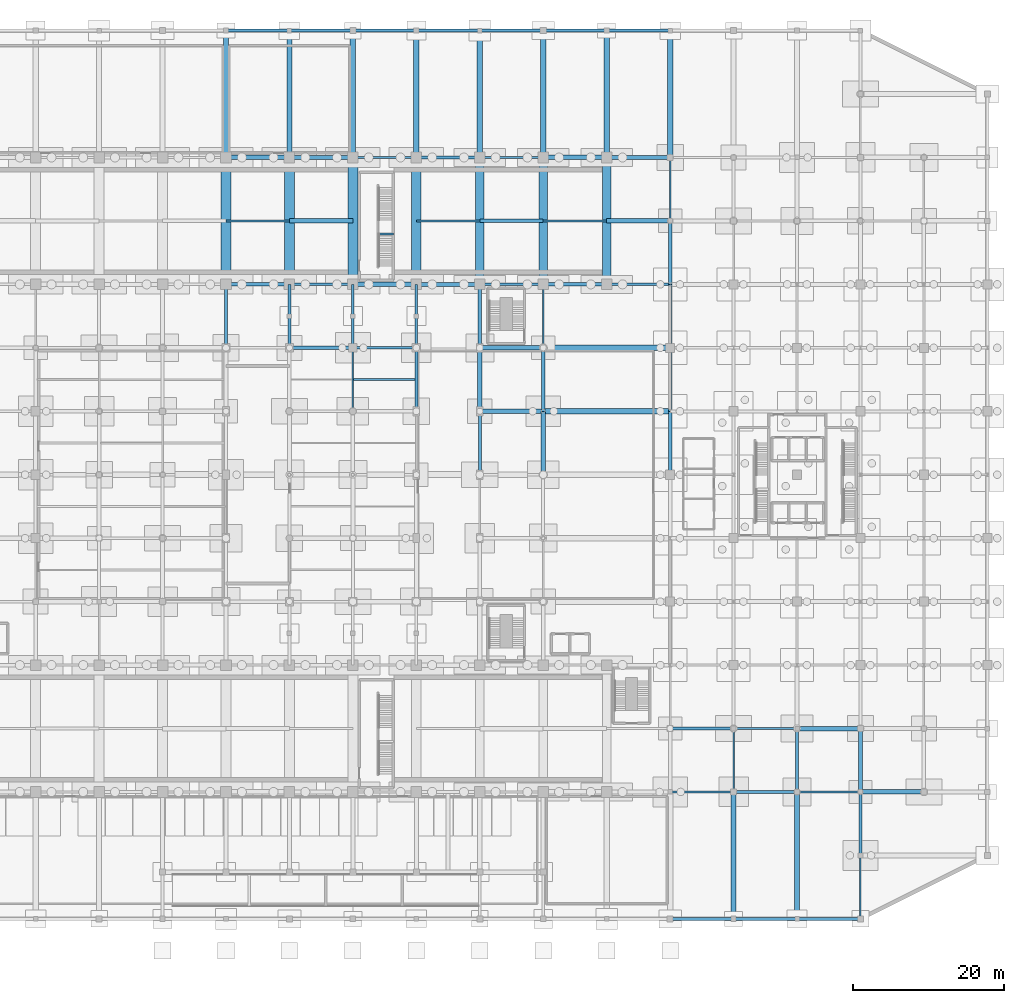
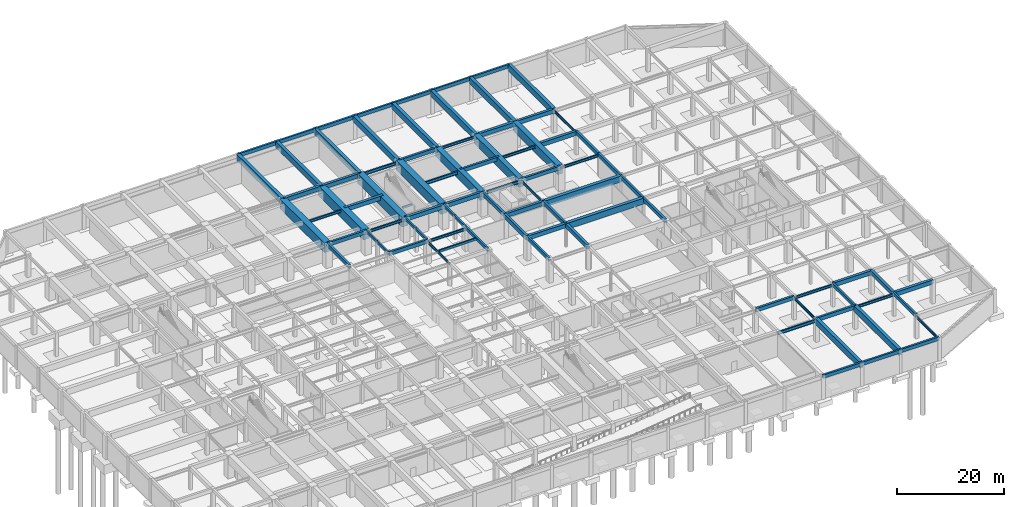
# One storey, part 14 of 26: 87 beams.
"""IFC4 building model written with IfcOpenShell, lengths in metres."""

from ifc_helpers import new_model, si_unit, direction, frame, origin, origin_2d, place, context, subcontext, project, spatial, rectangle, i_section, extrude, material, material_profile, profile_set, type_object, element, save


model = new_model("IFC4")

# Units and contexts
model_context = context("Model", 3, precision=1e-05, world=origin(), true_north=direction((0.0, 1.0)))
body_context = subcontext(model_context, "Body", "Model", "MODEL_VIEW")
ifc_project = project(units=[si_unit("LENGTHUNIT", "METRE"), si_unit("AREAUNIT", "SQUARE_METRE"), si_unit("VOLUMEUNIT", "CUBIC_METRE"), si_unit("PLANEANGLEUNIT", "RADIAN"), si_unit("MASSUNIT", "GRAM", prefix="KILO")], contexts=[model_context])

# Site, building, storey
site_placement = place(None, origin())
site = spatial("IfcSite", under=ifc_project, at=site_placement, CompositionType="ELEMENT")
building_placement = place(site_placement, origin())
building = spatial("IfcBuilding", under=site, at=building_placement, Name="Xuanlan Plaza Opera House", CompositionType="ELEMENT")
storey_placement = place(building_placement, frame((0.0, 0.0, -5.39990234375)))
storey = spatial("IfcBuildingStorey", under=building, at=storey_placement, Name="B01", CompositionType="ELEMENT", Elevation=-5.39990234375)

# Beams
ifc_material_1 = material(Name="Concrete C50", Category="concrete")
ifc_material_profile_1 = material_profile(ifc_material_1, rectangle(XDim=0.60009765625, YDim=0.949951171875, at=origin_2d()), Name="RC-BM 600x950")
ifc_profile_set_1 = profile_set([ifc_material_profile_1], Name="Concrete C50")
beam_type_1 = type_object("IfcBeamType", Name="STR-BM-B-01", PredefinedType="BEAM", material=ifc_profile_set_1)
beam_1_placement = place(storey_placement, frame((151.199951171875, 16.800048828125, 4.9248046875), z_axis=(1.0, 0.0, 0.0), x_axis=(0.0, 1.0, 0.0)))
element("IfcBeam", 1, at=beam_1_placement, inside=storey, type_object=beam_type_1, Name="Grid Beam X B01 19-20/C", PredefinedType="BEAM", context=body_context, shape_type="SweptSolid", body=[
    extrude(rectangle(XDim=0.60009765625, YDim=0.949951171875, at=origin_2d()), origin(), (0.0, 0.0, 1.0), 8.400146484375),
])
for number, where, z_axis, x_axis, name in (
    (2, (142.800048828125, 25.199951171875, 4.9248046875), (1.0, 0.0, 0.0), (0.0, 1.0, 0.0), "Grid Beam X B01 18-19/D"),
    (3, (100.800048828125, 67.199951171875, 4.9248046875), (1.0, 0.0, 0.0), (0.0, 1.0, 0.0), "Grid Beam X B01 13-14/I"),
    (4, (84.0, 84.0, 4.9248046875), (1.0, 0.0, 0.0), (0.0, 1.0, 0.0), "Grid Beam X B01 11-12/K"),
    (5, (75.60009765625, 92.39990234375, 4.9248046875), (1.0, 0.0, 0.0), (0.0, 1.0, 0.0), "Grid Beam X B01 10-11/L"),
    (6, (117.60009765625, 92.39990234375, 4.9248046875), (1.0, 0.0, 0.0), (0.0, 1.0, 0.0), "Grid Beam X B01 15-16/L"),
):
    element("IfcBeam", number, at=place(storey_placement, frame(where, z_axis=z_axis, x_axis=x_axis)), inside=storey, type_object=beam_type_1, Name=name, PredefinedType="BEAM", context=body_context, shape_type="SweptSolid", body=[
        extrude(rectangle(XDim=0.60009765625, YDim=0.949951171875, at=origin_2d()), origin(), (0.0, 0.0, 1.0), 8.39990234375),
    ])
for number, where, z_axis, x_axis, name in (
    (7, (67.199951171875, 100.800048828125, 4.9248046875), (1.0, 0.0, 0.0), (0.0, 1.0, 0.0), "Grid Beam X B01 9-10/M"),
    (8, (109.199951171875, 100.800048828125, 4.9248046875), (1.0, 0.0, 0.0), (0.0, 1.0, 0.0), "Grid Beam X B01 14-15/M"),
):
    element("IfcBeam", number, at=place(storey_placement, frame(where, z_axis=z_axis, x_axis=x_axis)), inside=storey, type_object=beam_type_1, Name=name, PredefinedType="BEAM", context=body_context, shape_type="SweptSolid", body=[
        extrude(rectangle(XDim=0.60009765625, YDim=0.949951171875, at=origin_2d()), origin(), (0.0, 0.0, 1.0), 8.400146484375),
    ])
ifc_material_profile_2 = material_profile(ifc_material_1, rectangle(XDim=0.550048828125, YDim=0.949951171875, at=origin_2d()), Name="RC-BM 550x950")
ifc_profile_set_2 = profile_set([ifc_material_profile_2], Name="Concrete C50")
beam_type_2 = type_object("IfcBeamType", Name="STR-BM-B-02", PredefinedType="BEAM", material=ifc_profile_set_2)
beam_2_placement = place(storey_placement, frame((100.800048828125, 75.60009765625, 4.9248046875), z_axis=(1.0, 0.0, 0.0), x_axis=(0.0, 1.0, 0.0)))
element("IfcBeam", 9, at=beam_2_placement, inside=storey, type_object=beam_type_2, Name="Grid Beam X B01 13-14/J", PredefinedType="BEAM", context=body_context, shape_type="SweptSolid", body=[
    extrude(rectangle(XDim=0.550048828125, YDim=0.949951171875, at=origin_2d()), origin(), (0.0, 0.0, 1.0), 8.39990234375),
])
beam_3_placement = place(storey_placement, frame((92.39990234375, 84.0, 4.9248046875), z_axis=(1.0, 0.0, 0.0), x_axis=(0.0, 1.0, 0.0)))
element("IfcBeam", 10, at=beam_3_placement, inside=storey, type_object=beam_type_2, Name="Grid Beam X B01 12-13/K", PredefinedType="BEAM", context=body_context, shape_type="SweptSolid", body=[
    extrude(rectangle(XDim=0.550048828125, YDim=0.949951171875, at=origin_2d()), origin(), (0.0, 0.0, 1.0), 8.400146484375),
])
for number, where, z_axis, x_axis, name in (
    (11, (75.60009765625, 100.800048828125, 4.9248046875), (1.0, 0.0, 0.0), (0.0, 1.0, 0.0), "Grid Beam X B01 10-11/M"),
    (12, (117.60009765625, 100.800048828125, 4.9248046875), (1.0, 0.0, 0.0), (0.0, 1.0, 0.0), "Grid Beam X B01 15-16/M"),
):
    element("IfcBeam", number, at=place(storey_placement, frame(where, z_axis=z_axis, x_axis=x_axis)), inside=storey, type_object=beam_type_2, Name=name, PredefinedType="BEAM", context=body_context, shape_type="SweptSolid", body=[
        extrude(rectangle(XDim=0.550048828125, YDim=0.949951171875, at=origin_2d()), origin(), (0.0, 0.0, 1.0), 8.39990234375),
    ])
beam_4_placement = place(storey_placement, frame((100.800048828125, 67.199951171875, 4.9248046875), z_axis=(0.0, 1.0, 0.0), x_axis=(-1.0, 0.0, 0.0)))
element("IfcBeam", 13, at=beam_4_placement, inside=storey, type_object=beam_type_2, Name="Grid Beam Y B01 13/I-J", PredefinedType="BEAM", context=body_context, shape_type="SweptSolid", body=[
    extrude(rectangle(XDim=0.550048828125, YDim=0.949951171875, at=origin_2d()), origin(), (0.0, 0.0, 1.0), 8.400146484375),
])
for number, where, z_axis, x_axis, name in (
    (14, (109.199951171875, 58.800048828125, 4.9248046875), (0.0, 1.0, 0.0), (-1.0, 0.0, 0.0), "Grid Beam Y B01 14/H-I"),
    (15, (151.199951171875, 16.800048828125, 4.9248046875), (0.0, 1.0, 0.0), (-1.0, 0.0, 0.0), "Grid Beam Y B01 19/C-D"),
):
    element("IfcBeam", number, at=place(storey_placement, frame(where, z_axis=z_axis, x_axis=x_axis)), inside=storey, type_object=beam_type_2, Name=name, PredefinedType="BEAM", context=body_context, shape_type="SweptSolid", body=[
        extrude(rectangle(XDim=0.550048828125, YDim=0.949951171875, at=origin_2d()), origin(), (0.0, 0.0, 1.0), 8.39990234375),
    ])
ifc_material_2 = material(Name="Concrete C40", Category="concrete")
ifc_material_profile_3 = material_profile(ifc_material_2, rectangle(XDim=0.449951171875, YDim=0.85009765625, at=origin_2d()), Name="RC-BM 450x850")
ifc_profile_set_3 = profile_set([ifc_material_profile_3], Name="Concrete C40")
beam_type_3 = type_object("IfcBeamType", Name="STR-BM-B-04", PredefinedType="BEAM", material=ifc_profile_set_3)
beam_5_placement = place(storey_placement, frame((134.39990234375, 16.800048828125, 4.974853515625), z_axis=(1.0, 0.0, 0.0), x_axis=(0.0, 1.0, 0.0)))
element("IfcBeam", 16, at=beam_5_placement, inside=storey, type_object=beam_type_3, Name="Grid Beam X B01 17-18/C", PredefinedType="BEAM", context=body_context, shape_type="SweptSolid", body=[
    extrude(rectangle(XDim=0.449951171875, YDim=0.85009765625, at=origin_2d()), origin(), (0.0, 0.0, 1.0), 8.400146484375),
])
for number, where, z_axis, x_axis, name in (
    (17, (126.0, 25.199951171875, 4.974853515625), (1.0, 0.0, 0.0), (0.0, 1.0, 0.0), "Grid Beam X B01 16-17/D"),
    (18, (75.60009765625, 75.60009765625, 4.974853515625), (1.0, 0.0, 0.0), (0.0, 1.0, 0.0), "Grid Beam X B01 10-11/J"),
):
    element("IfcBeam", number, at=place(storey_placement, frame(where, z_axis=z_axis, x_axis=x_axis)), inside=storey, type_object=beam_type_3, Name=name, PredefinedType="BEAM", context=body_context, shape_type="SweptSolid", body=[
        extrude(rectangle(XDim=0.449951171875, YDim=0.85009765625, at=origin_2d()), origin(), (0.0, 0.0, 1.0), 8.39990234375),
    ])
for number, where, z_axis, x_axis, name in (
    (19, (67.199951171875, 84.0, 4.974853515625), (1.0, 0.0, 0.0), (0.0, 1.0, 0.0), "Grid Beam X B01 9-10/K"),
    (20, (109.199951171875, 84.0, 4.974853515625), (1.0, 0.0, 0.0), (0.0, 1.0, 0.0), "Grid Beam X B01 14-15/K"),
):
    element("IfcBeam", number, at=place(storey_placement, frame(where, z_axis=z_axis, x_axis=x_axis)), inside=storey, type_object=beam_type_3, Name=name, PredefinedType="BEAM", context=body_context, shape_type="SweptSolid", body=[
        extrude(rectangle(XDim=0.449951171875, YDim=0.85009765625, at=origin_2d()), origin(), (0.0, 0.0, 1.0), 8.400146484375),
    ])
beam_6_placement = place(storey_placement, frame((100.800048828125, 92.39990234375, 4.974853515625), z_axis=(1.0, 0.0, 0.0), x_axis=(0.0, 1.0, 0.0)))
element("IfcBeam", 21, at=beam_6_placement, inside=storey, type_object=beam_type_3, Name="Grid Beam X B01 13-14/L", PredefinedType="BEAM", context=body_context, shape_type="SweptSolid", body=[
    extrude(rectangle(XDim=0.449951171875, YDim=0.85009765625, at=origin_2d()), origin(), (0.0, 0.0, 1.0), 8.39990234375),
])
beam_7_placement = place(storey_placement, frame((92.39990234375, 100.800048828125, 4.974853515625), z_axis=(1.0, 0.0, 0.0), x_axis=(0.0, 1.0, 0.0)))
element("IfcBeam", 22, at=beam_7_placement, inside=storey, type_object=beam_type_3, Name="Grid Beam X B01 12-13/M", PredefinedType="BEAM", context=body_context, shape_type="SweptSolid", body=[
    extrude(rectangle(XDim=0.449951171875, YDim=0.85009765625, at=origin_2d()), origin(), (0.0, 0.0, 1.0), 8.400146484375),
])
for number, where, z_axis, x_axis, name in (
    (23, (67.199951171875, 75.60009765625, 4.974853515625), (0.0, 1.0, 0.0), (-1.0, 0.0, 0.0), "Grid Beam Y B01 9/J-K"),
    (24, (100.800048828125, 75.60009765625, 4.974853515625), (0.0, 1.0, 0.0), (-1.0, 0.0, 0.0), "Grid Beam Y B01 13/J-K"),
):
    element("IfcBeam", number, at=place(storey_placement, frame(where, z_axis=z_axis, x_axis=x_axis)), inside=storey, type_object=beam_type_3, Name=name, PredefinedType="BEAM", context=body_context, shape_type="SweptSolid", body=[
        extrude(rectangle(XDim=0.449951171875, YDim=0.85009765625, at=origin_2d()), origin(), (0.0, 0.0, 1.0), 8.39990234375),
    ])
beam_8_placement = place(storey_placement, frame((109.199951171875, 67.199951171875, 4.974853515625), z_axis=(0.0, 1.0, 0.0), x_axis=(-1.0, 0.0, 0.0)))
element("IfcBeam", 25, at=beam_8_placement, inside=storey, type_object=beam_type_3, Name="Grid Beam Y B01 14/I-J", PredefinedType="BEAM", context=body_context, shape_type="SweptSolid", body=[
    extrude(rectangle(XDim=0.449951171875, YDim=0.85009765625, at=origin_2d()), origin(), (0.0, 0.0, 1.0), 8.400146484375),
])
beam_9_placement = place(storey_placement, frame((126.0, 58.800048828125, 4.974853515625), z_axis=(0.0, 1.0, 0.0), x_axis=(-1.0, 0.0, 0.0)))
element("IfcBeam", 26, at=beam_9_placement, inside=storey, type_object=beam_type_3, Name="Grid Beam Y B01 16/H-I", PredefinedType="BEAM", context=body_context, shape_type="SweptSolid", body=[
    extrude(rectangle(XDim=0.449951171875, YDim=0.85009765625, at=origin_2d()), origin(), (0.0, 0.0, 1.0), 8.39990234375),
])
beam_10_placement = place(storey_placement, frame((126.0, 67.199951171875, 4.974853515625), z_axis=(0.0, 1.0, 0.0), x_axis=(-1.0, 0.0, 0.0)))
element("IfcBeam", 27, at=beam_10_placement, inside=storey, type_object=beam_type_3, Name="Grid Beam Y B01 16/I-J", PredefinedType="BEAM", context=body_context, shape_type="SweptSolid", body=[
    extrude(rectangle(XDim=0.449951171875, YDim=0.85009765625, at=origin_2d()), origin(), (0.0, 0.0, 1.0), 8.400146484375),
])
for number, where, z_axis, x_axis, name in (
    (28, (126.0, 75.60009765625, 4.974853515625), (0.0, 1.0, 0.0), (-1.0, 0.0, 0.0), "Grid Beam Y B01 16/J-K"),
    (29, (126.0, 84.0, 4.974853515625), (0.0, 1.0, 0.0), (-1.0, 0.0, 0.0), "Grid Beam Y B01 16/K-L"),
):
    element("IfcBeam", number, at=place(storey_placement, frame(where, z_axis=z_axis, x_axis=x_axis)), inside=storey, type_object=beam_type_3, Name=name, PredefinedType="BEAM", context=body_context, shape_type="SweptSolid", body=[
        extrude(rectangle(XDim=0.449951171875, YDim=0.85009765625, at=origin_2d()), origin(), (0.0, 0.0, 1.0), 8.39990234375),
    ])
ifc_material_profile_4 = material_profile(ifc_material_2, rectangle(XDim=0.39990234375, YDim=0.75, at=origin_2d()), Name="RC-BM 400x750")
ifc_profile_set_4 = profile_set([ifc_material_profile_4], Name="Concrete C40")
beam_type_4 = type_object("IfcBeamType", Name="STR-BM-B-06", PredefinedType="BEAM", material=ifc_profile_set_4)
beam_11_placement = place(storey_placement, frame((92.39990234375, 67.199951171875, 5.02490234375), z_axis=(0.0, 1.0, 0.0), x_axis=(-1.0, 0.0, 0.0)))
element("IfcBeam", 30, at=beam_11_placement, inside=storey, type_object=beam_type_4, Name="Grid Beam Y B01 12/I-J", PredefinedType="BEAM", context=body_context, shape_type="SweptSolid", body=[
    extrude(rectangle(XDim=0.39990234375, YDim=0.75, at=origin_2d()), origin(), (0.0, 0.0, 1.0), 8.400146484375),
])
for number, where, z_axis, x_axis, name in (
    (31, (100.800048828125, 58.800048828125, 5.02490234375), (0.0, 1.0, 0.0), (-1.0, 0.0, 0.0), "Grid Beam Y B01 13/H-I"),
    (32, (142.800048828125, 16.800048828125, 5.02490234375), (0.0, 1.0, 0.0), (-1.0, 0.0, 0.0), "Grid Beam Y B01 18/C-D"),
):
    element("IfcBeam", number, at=place(storey_placement, frame(where, z_axis=z_axis, x_axis=x_axis)), inside=storey, type_object=beam_type_4, Name=name, PredefinedType="BEAM", context=body_context, shape_type="SweptSolid", body=[
        extrude(rectangle(XDim=0.39990234375, YDim=0.75, at=origin_2d()), origin(), (0.0, 0.0, 1.0), 8.39990234375),
    ])
beam_12_placement = place(storey_placement, frame((151.199951171875, 8.39990234375, 5.02490234375), z_axis=(0.0, 1.0, 0.0), x_axis=(-1.0, 0.0, 0.0)))
element("IfcBeam", 33, at=beam_12_placement, inside=storey, type_object=beam_type_4, Name="Grid Beam Y B01 19/B-C", PredefinedType="BEAM", context=body_context, shape_type="SweptSolid", body=[
    extrude(rectangle(XDim=0.39990234375, YDim=0.75, at=origin_2d()), origin(), (0.0, 0.0, 1.0), 8.400146484375),
])
ifc_material_profile_5 = material_profile(ifc_material_2, rectangle(XDim=0.35009765625, YDim=0.60009765625, at=origin_2d()), Name="RC-BM 350x600")
ifc_profile_set_5 = profile_set([ifc_material_profile_5], Name="Concrete C40")
beam_type_5 = type_object("IfcBeamType", Name="STR-BM-B-10", PredefinedType="BEAM", material=ifc_profile_set_5)
for number, where, z_axis, x_axis, name in (
    (34, (75.60009765625, 75.60009765625, 5.099853515625), (0.0, 1.0, 0.0), (-1.0, 0.0, 0.0), "Sub-Bay Beam Y B01 10/JA"),
    (35, (75.60009765625, 79.800048828125, 5.099853515625), (0.0, 1.0, 0.0), (-1.0, 0.0, 0.0), "Sub-Bay Beam Y B01 10/JB"),
    (36, (84.0, 75.60009765625, 5.099853515625), (0.0, 1.0, 0.0), (-1.0, 0.0, 0.0), "Sub-Bay Beam Y B01 11/JA"),
    (37, (84.0, 79.800048828125, 5.099853515625), (0.0, 1.0, 0.0), (-1.0, 0.0, 0.0), "Sub-Bay Beam Y B01 11/JB"),
    (38, (92.39990234375, 75.60009765625, 5.099853515625), (0.0, 1.0, 0.0), (-1.0, 0.0, 0.0), "Sub-Bay Beam Y B01 12/JA"),
    (39, (92.39990234375, 79.800048828125, 5.099853515625), (0.0, 1.0, 0.0), (-1.0, 0.0, 0.0), "Sub-Bay Beam Y B01 12/JB"),
):
    element("IfcBeam", number, at=place(storey_placement, frame(where, z_axis=z_axis, x_axis=x_axis)), inside=storey, type_object=beam_type_5, Name=name, PredefinedType="BEAM", context=body_context, shape_type="SweptSolid", body=[
        extrude(rectangle(XDim=0.35009765625, YDim=0.60009765625, at=origin_2d()), origin(), (0.0, 0.0, 1.0), 4.199951171875),
    ])
ifc_material_profile_6 = material_profile(ifc_material_2, rectangle(XDim=0.300048828125, YDim=0.52001953125, at=origin_2d()), Name="RC-JST 300x520")
ifc_profile_set_6 = profile_set([ifc_material_profile_6], Name="Concrete C40")
beam_type_6 = type_object("IfcBeamType", Name="STR-BM-J-05", PredefinedType="JOIST", material=ifc_profile_set_6)
beam_13_placement = place(storey_placement, frame((84.10009765625, 71.39990234375, 5.139892578125), z_axis=(1.0, 0.0, 0.0), x_axis=(0.0, 1.0, 0.0)))
element("IfcBeam", 40, at=beam_13_placement, inside=storey, type_object=beam_type_6, Name="Heavy Floor Joist B01 11-12/Im", PredefinedType="JOIST", context=body_context, shape_type="SweptSolid", body=[
    extrude(rectangle(XDim=0.300048828125, YDim=0.52001953125, at=origin_2d()), origin(), (0.0, 0.0, 1.0), 8.099853515625),
])
ifc_material_profile_7 = material_profile(ifc_material_1, rectangle(XDim=0.699951171875, YDim=1.39990234375, at=origin_2d()), Name="RC-LG 700x1400")
ifc_profile_set_7 = profile_set([ifc_material_profile_7], Name="Concrete C50")
beam_type_7 = type_object("IfcBeamType", Name="STR-BM-LG-01", PredefinedType="BEAM", material=ifc_profile_set_7)
for number, where, z_axis, x_axis, name in (
    (41, (109.199951171875, 67.199951171875, 4.699951171875), (1.0, 0.0, 0.0), (0.0, 1.0, 0.0), "Grid Beam X B01 14-16/I"),
    (42, (109.199951171875, 75.60009765625, 4.699951171875), (1.0, 0.0, 0.0), (0.0, 1.0, 0.0), "Grid Beam X B01 14-16/J"),
    (43, (67.199951171875, 100.800048828125, 4.699951171875), (0.0, 1.0, 0.0), (-1.0, 0.0, 0.0), "Grid Beam Y B01 9/M-O"),
    (44, (75.60009765625, 100.800048828125, 4.699951171875), (0.0, 1.0, 0.0), (-1.0, 0.0, 0.0), "Grid Beam Y B01 10/M-O"),
    (45, (84.0, 100.800048828125, 4.699951171875), (0.0, 1.0, 0.0), (-1.0, 0.0, 0.0), "Grid Beam Y B01 11/M-O"),
    (46, (92.39990234375, 100.800048828125, 4.699951171875), (0.0, 1.0, 0.0), (-1.0, 0.0, 0.0), "Grid Beam Y B01 12/M-O"),
    (47, (100.800048828125, 100.800048828125, 4.699951171875), (0.0, 1.0, 0.0), (-1.0, 0.0, 0.0), "Grid Beam Y B01 13/M-O"),
    (48, (109.199951171875, 100.800048828125, 4.699951171875), (0.0, 1.0, 0.0), (-1.0, 0.0, 0.0), "Grid Beam Y B01 14/M-O"),
    (49, (117.60009765625, 100.800048828125, 4.699951171875), (0.0, 1.0, 0.0), (-1.0, 0.0, 0.0), "Grid Beam Y B01 15/M-O"),
    (50, (126.0, 100.800048828125, 4.699951171875), (0.0, 1.0, 0.0), (-1.0, 0.0, 0.0), "Grid Beam Y B01 16/M-O"),
    (51, (134.39990234375, 0.0, 4.699951171875), (0.0, 1.0, 0.0), (-1.0, 0.0, 0.0), "Grid Beam Y B01 17/A-C"),
    (52, (142.800048828125, 0.0, 4.699951171875), (0.0, 1.0, 0.0), (-1.0, 0.0, 0.0), "Grid Beam Y B01 18/A-C"),
):
    element("IfcBeam", number, at=place(storey_placement, frame(where, z_axis=z_axis, x_axis=x_axis)), inside=storey, type_object=beam_type_7, Name=name, PredefinedType="BEAM", context=body_context, shape_type="SweptSolid", body=[
        extrude(rectangle(XDim=0.699951171875, YDim=1.39990234375, at=origin_2d()), origin(), (0.0, 0.0, 1.0), 16.800048828125),
    ])
ifc_material_profile_8 = material_profile(ifc_material_2, rectangle(XDim=0.300048828125, YDim=0.39990234375, at=origin_2d()), Name="RC-LNT 300x400")
ifc_profile_set_8 = profile_set([ifc_material_profile_8], Name="Concrete C40")
beam_type_8 = type_object("IfcBeamType", Name="STR-BM-LN-01", PredefinedType="LINTEL", material=ifc_profile_set_8)
beam_14_placement = place(storey_placement, frame((87.300048828125, 90.675048828125, 2.2998046875), z_axis=(1.0, 0.0, 0.0), x_axis=(0.0, 1.0, 0.0)))
element("IfcBeam", 53, at=beam_14_placement, inside=storey, type_object=beam_type_8, Name="Stair Mid-Landing Trimmer Beam ST-P4 B01", PredefinedType="LINTEL", context=body_context, shape_type="SweptSolid", body=[
    extrude(rectangle(XDim=0.300048828125, YDim=0.39990234375, at=origin_2d()), origin(), (0.0, 0.0, 1.0), 2.050048828125),
])
ifc_material_3 = material(Name="Steel Q355B", Category="steel")
ifc_material_profile_9 = material_profile(ifc_material_3, i_section(OverallWidth=0.300048828125, OverallDepth=0.699951171875, WebThickness=0.012939453125, FlangeThickness=0.02392578125, FilletRadius=0.02392578125, at=origin_2d()), Name="HN 700x300x13x24")
ifc_profile_set_9 = profile_set([ifc_material_profile_9], Name="Steel Q355B")
beam_type_9 = type_object("IfcBeamType", Name="STR-BM-SB-03", PredefinedType="BEAM", material=ifc_profile_set_9)
for number, where, z_axis, x_axis, name in (
    (54, (126.0, 16.800048828125, 4.744873046875), (1.0, 0.0, 0.0), (0.0, 1.0, 0.0), "Grid Beam X B01 16-17/C"),
    (55, (100.800048828125, 84.0, 4.744873046875), (1.0, 0.0, 0.0), (0.0, 1.0, 0.0), "Grid Beam X B01 13-14/K"),
):
    element("IfcBeam", number, at=place(storey_placement, frame(where, z_axis=z_axis, x_axis=x_axis)), inside=storey, type_object=beam_type_9, Name=name, PredefinedType="BEAM", context=body_context, shape_type="SweptSolid", body=[
        extrude(i_section(OverallWidth=0.300048828125, OverallDepth=0.699951171875, WebThickness=0.012939453125, FlangeThickness=0.02392578125, FilletRadius=0.02392578125, at=origin_2d()), origin(), (0.0, 0.0, 1.0), 8.39990234375),
    ])
beam_15_placement = place(storey_placement, frame((92.39990234375, 92.39990234375, 4.744873046875), z_axis=(1.0, 0.0, 0.0), x_axis=(0.0, 1.0, 0.0)))
element("IfcBeam", 56, at=beam_15_placement, inside=storey, type_object=beam_type_9, Name="Grid Beam X B01 12-13/L", PredefinedType="BEAM", context=body_context, shape_type="SweptSolid", body=[
    extrude(i_section(OverallWidth=0.300048828125, OverallDepth=0.699951171875, WebThickness=0.012939453125, FlangeThickness=0.02392578125, FilletRadius=0.02392578125, at=origin_2d()), origin(), (0.0, 0.0, 1.0), 8.400146484375),
])
beam_16_placement = place(storey_placement, frame((84.0, 100.800048828125, 4.744873046875), z_axis=(1.0, 0.0, 0.0), x_axis=(0.0, 1.0, 0.0)))
element("IfcBeam", 57, at=beam_16_placement, inside=storey, type_object=beam_type_9, Name="Grid Beam X B01 11-12/M", PredefinedType="BEAM", context=body_context, shape_type="SweptSolid", body=[
    extrude(i_section(OverallWidth=0.300048828125, OverallDepth=0.699951171875, WebThickness=0.012939453125, FlangeThickness=0.02392578125, FilletRadius=0.02392578125, at=origin_2d()), origin(), (0.0, 0.0, 1.0), 8.39990234375),
])
ifc_material_profile_10 = material_profile(ifc_material_3, i_section(OverallWidth=0.199951171875, OverallDepth=0.60009765625, WebThickness=0.010986328125, FlangeThickness=0.01708984375, FilletRadius=0.02197265625, at=origin_2d()), Name="HN 600x200x11x17")
ifc_profile_set_10 = profile_set([ifc_material_profile_10], Name="Steel Q355B")
beam_type_10 = type_object("IfcBeamType", Name="STR-BM-SB-04", PredefinedType="BEAM", material=ifc_profile_set_10)
beam_17_placement = place(storey_placement, frame((84.0, 67.199951171875, 4.794921875), z_axis=(0.0, 1.0, 0.0), x_axis=(-1.0, 0.0, 0.0)))
element("IfcBeam", 58, at=beam_17_placement, inside=storey, type_object=beam_type_10, Name="Grid Beam Y B01 11/I-J", PredefinedType="BEAM", context=body_context, shape_type="SweptSolid", body=[
    extrude(i_section(OverallWidth=0.199951171875, OverallDepth=0.60009765625, WebThickness=0.010986328125, FlangeThickness=0.01708984375, FilletRadius=0.02197265625, at=origin_2d()), origin(), (0.0, 0.0, 1.0), 8.400146484375),
])
beam_18_placement = place(storey_placement, frame((109.199951171875, 75.60009765625, 4.794921875), z_axis=(0.0, 1.0, 0.0), x_axis=(-1.0, 0.0, 0.0)))
element("IfcBeam", 59, at=beam_18_placement, inside=storey, type_object=beam_type_10, Name="Grid Beam Y B01 14/J-K", PredefinedType="BEAM", context=body_context, shape_type="SweptSolid", body=[
    extrude(i_section(OverallWidth=0.199951171875, OverallDepth=0.60009765625, WebThickness=0.010986328125, FlangeThickness=0.01708984375, FilletRadius=0.02197265625, at=origin_2d()), origin(), (0.0, 0.0, 1.0), 8.39990234375),
])
beam_19_placement = place(storey_placement, frame((126.0, 92.39990234375, 4.794921875), z_axis=(0.0, 1.0, 0.0), x_axis=(-1.0, 0.0, 0.0)))
element("IfcBeam", 60, at=beam_19_placement, inside=storey, type_object=beam_type_10, Name="Grid Beam Y B01 16/L-M", PredefinedType="BEAM", context=body_context, shape_type="SweptSolid", body=[
    extrude(i_section(OverallWidth=0.199951171875, OverallDepth=0.60009765625, WebThickness=0.010986328125, FlangeThickness=0.01708984375, FilletRadius=0.02197265625, at=origin_2d()), origin(), (0.0, 0.0, 1.0), 8.400146484375),
])
for number, where, z_axis, x_axis, name in (
    (61, (134.39990234375, 16.800048828125, 4.794921875), (0.0, 1.0, 0.0), (-1.0, 0.0, 0.0), "Grid Beam Y B01 17/C-D"),
    (62, (151.199951171875, 0.0, 4.794921875), (0.0, 1.0, 0.0), (-1.0, 0.0, 0.0), "Grid Beam Y B01 19/A-B"),
):
    element("IfcBeam", number, at=place(storey_placement, frame(where, z_axis=z_axis, x_axis=x_axis)), inside=storey, type_object=beam_type_10, Name=name, PredefinedType="BEAM", context=body_context, shape_type="SweptSolid", body=[
        extrude(i_section(OverallWidth=0.199951171875, OverallDepth=0.60009765625, WebThickness=0.010986328125, FlangeThickness=0.01708984375, FilletRadius=0.02197265625, at=origin_2d()), origin(), (0.0, 0.0, 1.0), 8.39990234375),
    ])
ifc_material_profile_11 = material_profile(ifc_material_3, i_section(OverallWidth=0.300048828125, OverallDepth=0.587890625, WebThickness=0.011962890625, FlangeThickness=0.02001953125, FilletRadius=0.02392578125, at=origin_2d()), Name="HM 588x300x12x20")
ifc_profile_set_11 = profile_set([ifc_material_profile_11], Name="Steel Q355B")
beam_type_11 = type_object("IfcBeamType", Name="STR-BM-SB-06", PredefinedType="BEAM", material=ifc_profile_set_11)
beam_20_placement = place(storey_placement, frame((142.800048828125, 16.800048828125, 4.80078125), z_axis=(1.0, 0.0, 0.0), x_axis=(0.0, 1.0, 0.0)))
element("IfcBeam", 63, at=beam_20_placement, inside=storey, type_object=beam_type_11, Name="Grid Beam X B01 18-19/C", PredefinedType="BEAM", context=body_context, shape_type="SweptSolid", body=[
    extrude(i_section(OverallWidth=0.300048828125, OverallDepth=0.587890625, WebThickness=0.011962890625, FlangeThickness=0.02001953125, FilletRadius=0.02392578125, at=origin_2d()), origin(), (0.0, 0.0, 1.0), 8.39990234375),
])
beam_21_placement = place(storey_placement, frame((134.39990234375, 25.199951171875, 4.80078125), z_axis=(1.0, 0.0, 0.0), x_axis=(0.0, 1.0, 0.0)))
element("IfcBeam", 64, at=beam_21_placement, inside=storey, type_object=beam_type_11, Name="Grid Beam X B01 17-18/D", PredefinedType="BEAM", context=body_context, shape_type="SweptSolid", body=[
    extrude(i_section(OverallWidth=0.300048828125, OverallDepth=0.587890625, WebThickness=0.011962890625, FlangeThickness=0.02001953125, FilletRadius=0.02392578125, at=origin_2d()), origin(), (0.0, 0.0, 1.0), 8.400146484375),
])
for number, where, z_axis, x_axis, name in (
    (65, (84.0, 75.60009765625, 4.80078125), (1.0, 0.0, 0.0), (0.0, 1.0, 0.0), "Grid Beam X B01 11-12/J"),
    (66, (75.60009765625, 84.0, 4.80078125), (1.0, 0.0, 0.0), (0.0, 1.0, 0.0), "Grid Beam X B01 10-11/K"),
    (67, (117.60009765625, 84.0, 4.80078125), (1.0, 0.0, 0.0), (0.0, 1.0, 0.0), "Grid Beam X B01 15-16/K"),
):
    element("IfcBeam", number, at=place(storey_placement, frame(where, z_axis=z_axis, x_axis=x_axis)), inside=storey, type_object=beam_type_11, Name=name, PredefinedType="BEAM", context=body_context, shape_type="SweptSolid", body=[
        extrude(i_section(OverallWidth=0.300048828125, OverallDepth=0.587890625, WebThickness=0.011962890625, FlangeThickness=0.02001953125, FilletRadius=0.02392578125, at=origin_2d()), origin(), (0.0, 0.0, 1.0), 8.39990234375),
    ])
for number, where, z_axis, x_axis, name in (
    (68, (67.199951171875, 92.39990234375, 4.80078125), (1.0, 0.0, 0.0), (0.0, 1.0, 0.0), "Grid Beam X B01 9-10/L"),
    (69, (109.199951171875, 92.39990234375, 4.80078125), (1.0, 0.0, 0.0), (0.0, 1.0, 0.0), "Grid Beam X B01 14-15/L"),
):
    element("IfcBeam", number, at=place(storey_placement, frame(where, z_axis=z_axis, x_axis=x_axis)), inside=storey, type_object=beam_type_11, Name=name, PredefinedType="BEAM", context=body_context, shape_type="SweptSolid", body=[
        extrude(i_section(OverallWidth=0.300048828125, OverallDepth=0.587890625, WebThickness=0.011962890625, FlangeThickness=0.02001953125, FilletRadius=0.02392578125, at=origin_2d()), origin(), (0.0, 0.0, 1.0), 8.400146484375),
    ])
beam_22_placement = place(storey_placement, frame((100.800048828125, 100.800048828125, 4.80078125), z_axis=(1.0, 0.0, 0.0), x_axis=(0.0, 1.0, 0.0)))
element("IfcBeam", 70, at=beam_22_placement, inside=storey, type_object=beam_type_11, Name="Grid Beam X B01 13-14/M", PredefinedType="BEAM", context=body_context, shape_type="SweptSolid", body=[
    extrude(i_section(OverallWidth=0.300048828125, OverallDepth=0.587890625, WebThickness=0.011962890625, FlangeThickness=0.02001953125, FilletRadius=0.02392578125, at=origin_2d()), origin(), (0.0, 0.0, 1.0), 8.39990234375),
])
ifc_material_profile_12 = material_profile(ifc_material_2, rectangle(XDim=0.39990234375, YDim=0.800048828125, at=origin_2d()), Name="RC-SPD 400x800")
ifc_profile_set_12 = profile_set([ifc_material_profile_12], Name="Concrete C40")
beam_type_12 = type_object("IfcBeamType", Name="STR-BM-SP-01", PredefinedType="SPANDREL", material=ifc_profile_set_12)
beam_23_placement = place(storey_placement, frame((126.0, 0.0, 5.0), z_axis=(1.0, 0.0, 0.0), x_axis=(0.0, 1.0, 0.0)))
element("IfcBeam", 71, at=beam_23_placement, inside=storey, type_object=beam_type_12, Name="Grid Beam X B01 16-17/A", PredefinedType="SPANDREL", context=body_context, shape_type="SweptSolid", body=[
    extrude(rectangle(XDim=0.39990234375, YDim=0.800048828125, at=origin_2d()), origin(), (0.0, 0.0, 1.0), 8.39990234375),
])
beam_24_placement = place(storey_placement, frame((134.39990234375, 0.0, 5.0), z_axis=(1.0, 0.0, 0.0), x_axis=(0.0, 1.0, 0.0)))
element("IfcBeam", 72, at=beam_24_placement, inside=storey, type_object=beam_type_12, Name="Grid Beam X B01 17-18/A", PredefinedType="SPANDREL", context=body_context, shape_type="SweptSolid", body=[
    extrude(rectangle(XDim=0.39990234375, YDim=0.800048828125, at=origin_2d()), origin(), (0.0, 0.0, 1.0), 8.400146484375),
])
beam_25_placement = place(storey_placement, frame((142.800048828125, 0.0, 5.0), z_axis=(1.0, 0.0, 0.0), x_axis=(0.0, 1.0, 0.0)))
element("IfcBeam", 73, at=beam_25_placement, inside=storey, type_object=beam_type_12, Name="Grid Beam X B01 18-19/A", PredefinedType="SPANDREL", context=body_context, shape_type="SweptSolid", body=[
    extrude(rectangle(XDim=0.39990234375, YDim=0.800048828125, at=origin_2d()), origin(), (0.0, 0.0, 1.0), 8.39990234375),
])
beam_26_placement = place(storey_placement, frame((67.199951171875, 117.60009765625, 5.0), z_axis=(1.0, 0.0, 0.0), x_axis=(0.0, 1.0, 0.0)))
element("IfcBeam", 74, at=beam_26_placement, inside=storey, type_object=beam_type_12, Name="Grid Beam X B01 9-10/O", PredefinedType="SPANDREL", context=body_context, shape_type="SweptSolid", body=[
    extrude(rectangle(XDim=0.39990234375, YDim=0.800048828125, at=origin_2d()), origin(), (0.0, 0.0, 1.0), 8.400146484375),
])
for number, where, z_axis, x_axis, name in (
    (75, (75.60009765625, 117.60009765625, 5.0), (1.0, 0.0, 0.0), (0.0, 1.0, 0.0), "Grid Beam X B01 10-11/O"),
    (76, (84.0, 117.60009765625, 5.0), (1.0, 0.0, 0.0), (0.0, 1.0, 0.0), "Grid Beam X B01 11-12/O"),
):
    element("IfcBeam", number, at=place(storey_placement, frame(where, z_axis=z_axis, x_axis=x_axis)), inside=storey, type_object=beam_type_12, Name=name, PredefinedType="SPANDREL", context=body_context, shape_type="SweptSolid", body=[
        extrude(rectangle(XDim=0.39990234375, YDim=0.800048828125, at=origin_2d()), origin(), (0.0, 0.0, 1.0), 8.39990234375),
    ])
beam_27_placement = place(storey_placement, frame((92.39990234375, 117.60009765625, 5.0), z_axis=(1.0, 0.0, 0.0), x_axis=(0.0, 1.0, 0.0)))
element("IfcBeam", 77, at=beam_27_placement, inside=storey, type_object=beam_type_12, Name="Grid Beam X B01 12-13/O", PredefinedType="SPANDREL", context=body_context, shape_type="SweptSolid", body=[
    extrude(rectangle(XDim=0.39990234375, YDim=0.800048828125, at=origin_2d()), origin(), (0.0, 0.0, 1.0), 8.400146484375),
])
beam_28_placement = place(storey_placement, frame((100.800048828125, 117.60009765625, 5.0), z_axis=(1.0, 0.0, 0.0), x_axis=(0.0, 1.0, 0.0)))
element("IfcBeam", 78, at=beam_28_placement, inside=storey, type_object=beam_type_12, Name="Grid Beam X B01 13-14/O", PredefinedType="SPANDREL", context=body_context, shape_type="SweptSolid", body=[
    extrude(rectangle(XDim=0.39990234375, YDim=0.800048828125, at=origin_2d()), origin(), (0.0, 0.0, 1.0), 8.39990234375),
])
beam_29_placement = place(storey_placement, frame((109.199951171875, 117.60009765625, 5.0), z_axis=(1.0, 0.0, 0.0), x_axis=(0.0, 1.0, 0.0)))
element("IfcBeam", 79, at=beam_29_placement, inside=storey, type_object=beam_type_12, Name="Grid Beam X B01 14-15/O", PredefinedType="SPANDREL", context=body_context, shape_type="SweptSolid", body=[
    extrude(rectangle(XDim=0.39990234375, YDim=0.800048828125, at=origin_2d()), origin(), (0.0, 0.0, 1.0), 8.400146484375),
])
beam_30_placement = place(storey_placement, frame((117.60009765625, 117.60009765625, 5.0), z_axis=(1.0, 0.0, 0.0), x_axis=(0.0, 1.0, 0.0)))
element("IfcBeam", 80, at=beam_30_placement, inside=storey, type_object=beam_type_12, Name="Grid Beam X B01 15-16/O", PredefinedType="SPANDREL", context=body_context, shape_type="SweptSolid", body=[
    extrude(rectangle(XDim=0.39990234375, YDim=0.800048828125, at=origin_2d()), origin(), (0.0, 0.0, 1.0), 8.39990234375),
])
ifc_material_4 = material(Name="Concrete C60", Category="concrete")
ifc_material_profile_13 = material_profile(ifc_material_4, rectangle(XDim=1.300048828125, YDim=2.199951171875, at=origin_2d()), Name="RC-TG 1300x2200")
ifc_profile_set_13 = profile_set([ifc_material_profile_13], Name="Concrete C60")
beam_type_13 = type_object("IfcBeamType", Name="STR-BM-TG-01", PredefinedType="BEAM", material=ifc_profile_set_13)
for number, where, z_axis, x_axis, name in (
    (81, (67.199951171875, 84.0, 4.2998046875), (0.0, 1.0, 0.0), (-1.0, 0.0, 0.0), "Metro Transfer Girder TG-N08"),
    (82, (75.60009765625, 84.0, 4.2998046875), (0.0, 1.0, 0.0), (-1.0, 0.0, 0.0), "Metro Transfer Girder TG-N09"),
    (83, (84.0, 84.0, 4.2998046875), (0.0, 1.0, 0.0), (-1.0, 0.0, 0.0), "Metro Transfer Girder TG-N10"),
    (84, (92.39990234375, 84.0, 4.2998046875), (0.0, 1.0, 0.0), (-1.0, 0.0, 0.0), "Metro Transfer Girder TG-N11"),
):
    element("IfcBeam", number, at=place(storey_placement, frame(where, z_axis=z_axis, x_axis=x_axis)), inside=storey, type_object=beam_type_13, Name=name, PredefinedType="BEAM", context=body_context, shape_type="SweptSolid", body=[
        extrude(rectangle(XDim=1.300048828125, YDim=2.199951171875, at=origin_2d()), origin(), (0.0, 0.0, 1.0), 16.800048828125),
    ])
ifc_material_profile_14 = material_profile(ifc_material_1, rectangle(XDim=1.10009765625, YDim=2.0, at=origin_2d()), Name="RC-TG 1100x2000")
ifc_profile_set_14 = profile_set([ifc_material_profile_14], Name="Concrete C50")
beam_type_14 = type_object("IfcBeamType", Name="STR-BM-TG-02", PredefinedType="BEAM", material=ifc_profile_set_14)
for number, where, z_axis, x_axis, name in (
    (85, (100.800048828125, 84.0, 4.39990234375), (0.0, 1.0, 0.0), (-1.0, 0.0, 0.0), "Metro Transfer Girder TG-N12"),
    (86, (109.199951171875, 84.0, 4.39990234375), (0.0, 1.0, 0.0), (-1.0, 0.0, 0.0), "Metro Transfer Girder TG-N13"),
    (87, (117.60009765625, 84.0, 4.39990234375), (0.0, 1.0, 0.0), (-1.0, 0.0, 0.0), "Metro Transfer Girder TG-N14"),
):
    element("IfcBeam", number, at=place(storey_placement, frame(where, z_axis=z_axis, x_axis=x_axis)), inside=storey, type_object=beam_type_14, Name=name, PredefinedType="BEAM", context=body_context, shape_type="SweptSolid", body=[
        extrude(rectangle(XDim=1.10009765625, YDim=2.0, at=origin_2d()), origin(), (0.0, 0.0, 1.0), 16.800048828125),
    ])

save(model, "model.ifc")
